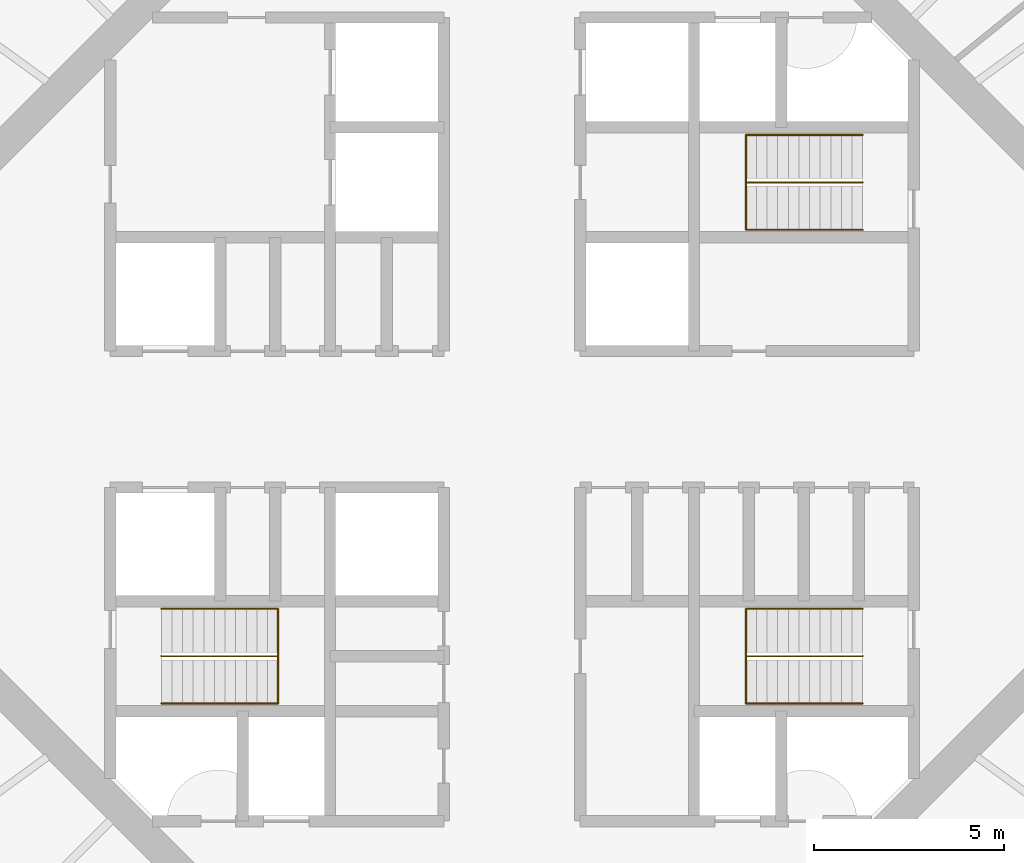
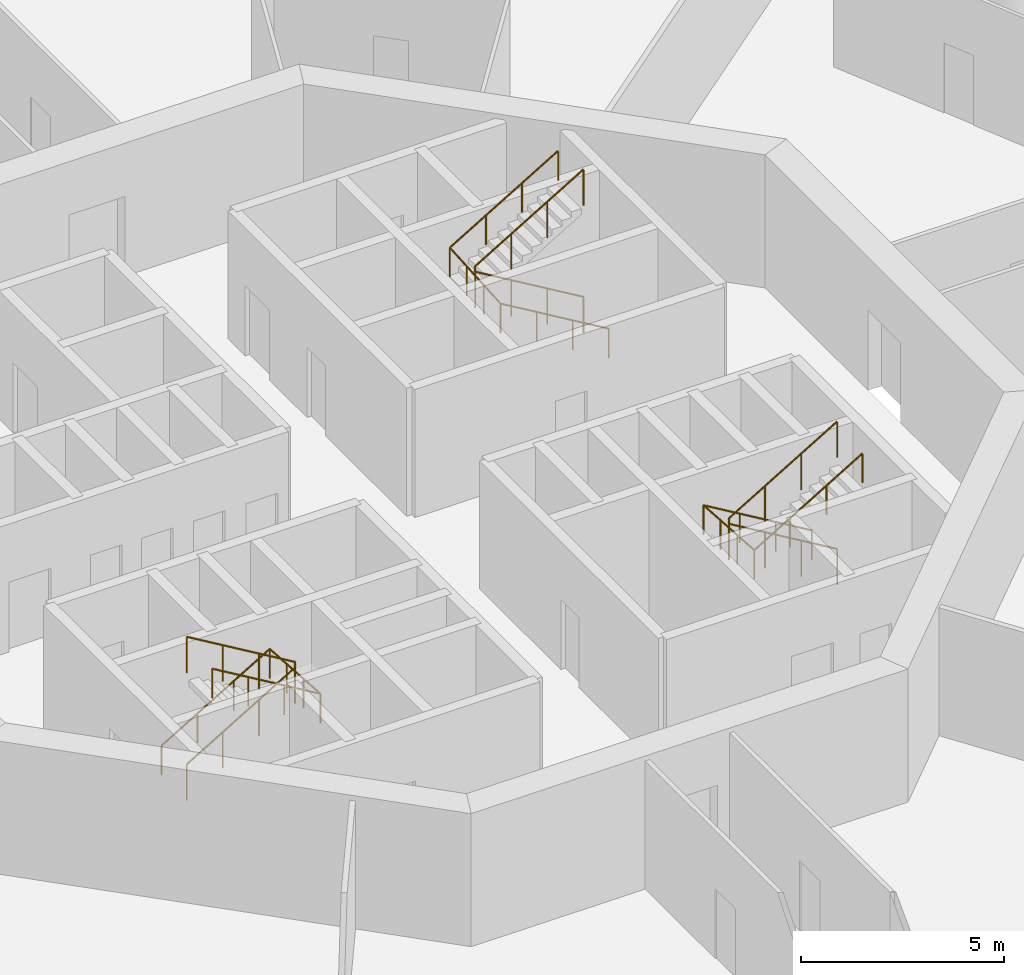
# One storey, part 13 of 13: 6 railings.
"""IFC4 building model written with IfcOpenShell, lengths in metres."""

from ifc_helpers import new_model, si_unit, direction, frame, origin, origin_2d, place, context, subcontext, project, spatial, circle, extrude, material, type_object, element, save


model = new_model("IFC4")

# Units and contexts
model_context = context("Model", 3, precision=1e-05, world=origin(), true_north=direction((0.0, 1.0)))
body_context = subcontext(model_context, "Body", "Model", "MODEL_VIEW")
ifc_project = project(units=[si_unit("LENGTHUNIT", "METRE"), si_unit("AREAUNIT", "SQUARE_METRE"), si_unit("VOLUMEUNIT", "CUBIC_METRE"), si_unit("PLANEANGLEUNIT", "RADIAN"), si_unit("MASSUNIT", "GRAM", prefix="KILO")], contexts=[model_context])

# Site, building, storey
site_placement = place(None, origin())
site = spatial("IfcSite", under=ifc_project, at=site_placement, CompositionType="ELEMENT")
building_placement = place(site_placement, origin())
building = spatial("IfcBuilding", under=site, at=building_placement, Name="Entoto Ring Tower", CompositionType="ELEMENT")
storey_placement = place(building_placement, frame((0.0, 0.0, 310.0)))
storey = spatial("IfcBuildingStorey", under=building, at=storey_placement, Name="L71", CompositionType="ELEMENT", Elevation=310.0)

# Railings
ifc_material_1 = material(Name="Steel S275", Category="steel")
railing_type_1 = type_object("IfcRailingType", Name="Stair guard 1100 mm steel", PredefinedType="GUARDRAIL", material=ifc_material_1)
railing_1_placement = place(storey_placement, frame((99.25, 86.25, 0.166748046875)))
element("IfcRailing", 1, at=railing_1_placement, inside=storey, type_object=railing_type_1, Name="Guard ST1", PredefinedType="GUARDRAIL", context=body_context, shape_type="SweptSolid", body=[
    extrude(circle(Radius=0.02392578125, at=origin_2d()), frame((0.0, 0.0, 1.076171875), z_axis=(-0.859308565015, 0.0, 0.511457515432), x_axis=(0.0, -1.0, 0.0)), (0.0, 0.0, 1.0), 3.58447265625),
    extrude(circle(Radius=0.02392578125, at=origin_2d()), frame((-3.080078125, 0.0, 2.9091796875), z_axis=(0.0, 0.0, 1.0), x_axis=(1.0, 0.0, 0.0)), (0.0, 0.0, 1.0), 0.166748046875),
    extrude(circle(Radius=0.02392578125, at=origin_2d()), frame((-3.080078125, 0.0, 3.076171875), z_axis=(0.859308565015, 0.0, 0.511457515432), x_axis=(0.0, 1.0, 0.0)), (0.0, 0.0, 1.0), 3.58447265625),
    extrude(circle(Radius=0.02099609375, at=origin_2d()), origin(), (0.0, 0.0, 1.0), 1.052001953125),
    extrude(circle(Radius=0.02099609375, at=origin_2d()), frame((-1.026611328125, 0.0, 0.611083984375)), (0.0, 0.0, 1.0), 1.052001953125),
    extrude(circle(Radius=0.02099609375, at=origin_2d()), frame((-2.053466796875, 0.0, 1.22216796875)), (0.0, 0.0, 1.0), 1.052001953125),
    extrude(circle(Radius=0.02099609375, at=origin_2d()), frame((-3.080078125, 0.0, 1.833251953125)), (0.0, 0.0, 1.0), 1.052001953125),
    extrude(circle(Radius=0.02099609375, at=origin_2d()), frame((-3.080078125, 0.0, 2.0)), (0.0, 0.0, 1.0), 1.052001953125),
    extrude(circle(Radius=0.02099609375, at=origin_2d()), frame((-2.053466796875, 0.0, 2.611083984375)), (0.0, 0.0, 1.0), 1.052001953125),
    extrude(circle(Radius=0.02099609375, at=origin_2d()), frame((-1.026611328125, 0.0, 3.22216796875)), (0.0, 0.0, 1.0), 1.052001953125),
    extrude(circle(Radius=0.02099609375, at=origin_2d()), frame((0.0, 0.0, 3.833251953125)), (0.0, 0.0, 1.0), 1.052001953125),
])
railing_2_placement = place(storey_placement, frame((80.75, 73.75, 0.166748046875)))
element("IfcRailing", 2, at=railing_2_placement, inside=storey, type_object=railing_type_1, Name="Guard ST2", PredefinedType="GUARDRAIL", context=body_context, shape_type="SweptSolid", body=[
    extrude(circle(Radius=0.02392578125, at=origin_2d()), frame((0.0, 0.0, 1.076171875), z_axis=(0.859308565015, 0.0, 0.511457515432), x_axis=(0.0, 1.0, 0.0)), (0.0, 0.0, 1.0), 3.58447265625),
    extrude(circle(Radius=0.02392578125, at=origin_2d()), frame((3.080078125, 0.0, 2.9091796875), z_axis=(0.0, 0.0, 1.0), x_axis=(1.0, 0.0, 0.0)), (0.0, 0.0, 1.0), 0.166748046875),
    extrude(circle(Radius=0.02392578125, at=origin_2d()), frame((3.080078125, 0.0, 3.076171875), z_axis=(-0.859308565015, 0.0, 0.511457515432), x_axis=(0.0, -1.0, 0.0)), (0.0, 0.0, 1.0), 3.58447265625),
    extrude(circle(Radius=0.02099609375, at=origin_2d()), origin(), (0.0, 0.0, 1.0), 1.052001953125),
    extrude(circle(Radius=0.02099609375, at=origin_2d()), frame((1.026611328125, 0.0, 0.611083984375)), (0.0, 0.0, 1.0), 1.052001953125),
    extrude(circle(Radius=0.02099609375, at=origin_2d()), frame((2.053466796875, 0.0, 1.22216796875)), (0.0, 0.0, 1.0), 1.052001953125),
    extrude(circle(Radius=0.02099609375, at=origin_2d()), frame((3.080078125, 0.0, 1.833251953125)), (0.0, 0.0, 1.0), 1.052001953125),
    extrude(circle(Radius=0.02099609375, at=origin_2d()), frame((3.080078125, 0.0, 2.0)), (0.0, 0.0, 1.0), 1.052001953125),
    extrude(circle(Radius=0.02099609375, at=origin_2d()), frame((2.053466796875, 0.0, 2.611083984375)), (0.0, 0.0, 1.0), 1.052001953125),
    extrude(circle(Radius=0.02099609375, at=origin_2d()), frame((1.026611328125, 0.0, 3.22216796875)), (0.0, 0.0, 1.0), 1.052001953125),
    extrude(circle(Radius=0.02099609375, at=origin_2d()), frame((0.0, 0.0, 3.833251953125)), (0.0, 0.0, 1.0), 1.052001953125),
])
railing_3_placement = place(storey_placement, frame((99.25, 73.75, 0.166748046875)))
element("IfcRailing", 3, at=railing_3_placement, inside=storey, type_object=railing_type_1, Name="Guard ST3", PredefinedType="GUARDRAIL", context=body_context, shape_type="SweptSolid", body=[
    extrude(circle(Radius=0.02392578125, at=origin_2d()), frame((0.0, 0.0, 1.076171875), z_axis=(-0.859308565015, 0.0, 0.511457515432), x_axis=(0.0, -1.0, 0.0)), (0.0, 0.0, 1.0), 3.58447265625),
    extrude(circle(Radius=0.02392578125, at=origin_2d()), frame((-3.080078125, 0.0, 2.9091796875), z_axis=(0.0, 0.0, 1.0), x_axis=(1.0, 0.0, 0.0)), (0.0, 0.0, 1.0), 0.166748046875),
    extrude(circle(Radius=0.02392578125, at=origin_2d()), frame((-3.080078125, 0.0, 3.076171875), z_axis=(0.859308565015, 0.0, 0.511457515432), x_axis=(0.0, 1.0, 0.0)), (0.0, 0.0, 1.0), 3.58447265625),
    extrude(circle(Radius=0.02099609375, at=origin_2d()), origin(), (0.0, 0.0, 1.0), 1.052001953125),
    extrude(circle(Radius=0.02099609375, at=origin_2d()), frame((-1.026611328125, 0.0, 0.611083984375)), (0.0, 0.0, 1.0), 1.052001953125),
    extrude(circle(Radius=0.02099609375, at=origin_2d()), frame((-2.053466796875, 0.0, 1.22216796875)), (0.0, 0.0, 1.0), 1.052001953125),
    extrude(circle(Radius=0.02099609375, at=origin_2d()), frame((-3.080078125, 0.0, 1.833251953125)), (0.0, 0.0, 1.0), 1.052001953125),
    extrude(circle(Radius=0.02099609375, at=origin_2d()), frame((-3.080078125, 0.0, 2.0)), (0.0, 0.0, 1.0), 1.052001953125),
    extrude(circle(Radius=0.02099609375, at=origin_2d()), frame((-2.053466796875, 0.0, 2.611083984375)), (0.0, 0.0, 1.0), 1.052001953125),
    extrude(circle(Radius=0.02099609375, at=origin_2d()), frame((-1.026611328125, 0.0, 3.22216796875)), (0.0, 0.0, 1.0), 1.052001953125),
    extrude(circle(Radius=0.02099609375, at=origin_2d()), frame((0.0, 0.0, 3.833251953125)), (0.0, 0.0, 1.0), 1.052001953125),
])
ifc_material_2 = material(Name="Steel S275", Category="steel")
railing_type_2 = type_object("IfcRailingType", Name="Stair handrail 900 mm steel", PredefinedType="HANDRAIL", material=ifc_material_2)
railing_4_placement = place(storey_placement, frame((99.25, 85.0, 0.166748046875)))
element("IfcRailing", 4, at=railing_4_placement, inside=storey, type_object=railing_type_2, Name="Handrail ST1", PredefinedType="HANDRAIL", context=body_context, shape_type="SweptSolid", body=[
    extrude(circle(Radius=0.02392578125, at=origin_2d()), frame((0.0, 0.0, 0.8759765625), z_axis=(-0.859308565015, 0.0, 0.511457515432), x_axis=(0.0, -1.0, 0.0)), (0.0, 0.0, 1.0), 3.58447265625),
    extrude(circle(Radius=0.02392578125, at=origin_2d()), frame((-3.080078125, 0.0, 2.708984375), z_axis=(0.0, 0.997783001586, 0.066551346688), x_axis=(-1.0, 0.0, 0.0)), (0.0, 0.0, 1.0), 2.505615234375),
    extrude(circle(Radius=0.02392578125, at=origin_2d()), frame((-3.080078125, 2.5, 2.8759765625), z_axis=(0.859308565015, 0.0, 0.511457515432), x_axis=(0.0, 1.0, 0.0)), (0.0, 0.0, 1.0), 3.58447265625),
    extrude(circle(Radius=0.02099609375, at=origin_2d()), origin(), (0.0, 0.0, 1.0), 0.851806640625),
    extrude(circle(Radius=0.02099609375, at=origin_2d()), frame((-1.026611328125, 0.0, 0.611083984375)), (0.0, 0.0, 1.0), 0.851806640625),
    extrude(circle(Radius=0.02099609375, at=origin_2d()), frame((-2.053466796875, 0.0, 1.22216796875)), (0.0, 0.0, 1.0), 0.851806640625),
    extrude(circle(Radius=0.02099609375, at=origin_2d()), frame((-3.080078125, 0.0, 1.833251953125)), (0.0, 0.0, 1.0), 0.851806640625),
    extrude(circle(Radius=0.02099609375, at=origin_2d()), frame((-3.080078125, 0.833251953125, 1.888916015625)), (0.0, 0.0, 1.0), 0.851806640625),
    extrude(circle(Radius=0.02099609375, at=origin_2d()), frame((-3.080078125, 1.666748046875, 1.9443359375)), (0.0, 0.0, 1.0), 0.851806640625),
    extrude(circle(Radius=0.02099609375, at=origin_2d()), frame((-3.080078125, 2.5, 2.0)), (0.0, 0.0, 1.0), 0.851806640625),
    extrude(circle(Radius=0.02099609375, at=origin_2d()), frame((-2.053466796875, 2.5, 2.611083984375)), (0.0, 0.0, 1.0), 0.851806640625),
    extrude(circle(Radius=0.02099609375, at=origin_2d()), frame((-1.026611328125, 2.5, 3.22216796875)), (0.0, 0.0, 1.0), 0.851806640625),
    extrude(circle(Radius=0.02099609375, at=origin_2d()), frame((0.0, 2.5, 3.833251953125)), (0.0, 0.0, 1.0), 0.851806640625),
])
railing_5_placement = place(storey_placement, frame((80.75, 75.0, 0.166748046875)))
element("IfcRailing", 5, at=railing_5_placement, inside=storey, type_object=railing_type_2, Name="Handrail ST2", PredefinedType="HANDRAIL", context=body_context, shape_type="SweptSolid", body=[
    extrude(circle(Radius=0.02392578125, at=origin_2d()), frame((0.0, 0.0, 0.8759765625), z_axis=(0.859308565015, 0.0, 0.511457515432), x_axis=(0.0, 1.0, 0.0)), (0.0, 0.0, 1.0), 3.58447265625),
    extrude(circle(Radius=0.02392578125, at=origin_2d()), frame((3.080078125, 0.0, 2.708984375), z_axis=(0.0, -0.997783001586, 0.066551346688), x_axis=(1.0, 0.0, 0.0)), (0.0, 0.0, 1.0), 2.505615234375),
    extrude(circle(Radius=0.02392578125, at=origin_2d()), frame((3.080078125, -2.5, 2.8759765625), z_axis=(-0.859308565015, 0.0, 0.511457515432), x_axis=(0.0, -1.0, 0.0)), (0.0, 0.0, 1.0), 3.58447265625),
    extrude(circle(Radius=0.02099609375, at=origin_2d()), origin(), (0.0, 0.0, 1.0), 0.851806640625),
    extrude(circle(Radius=0.02099609375, at=origin_2d()), frame((1.026611328125, 0.0, 0.611083984375)), (0.0, 0.0, 1.0), 0.851806640625),
    extrude(circle(Radius=0.02099609375, at=origin_2d()), frame((2.053466796875, 0.0, 1.22216796875)), (0.0, 0.0, 1.0), 0.851806640625),
    extrude(circle(Radius=0.02099609375, at=origin_2d()), frame((3.080078125, 0.0, 1.833251953125)), (0.0, 0.0, 1.0), 0.851806640625),
    extrude(circle(Radius=0.02099609375, at=origin_2d()), frame((3.080078125, -0.833251953125, 1.888916015625)), (0.0, 0.0, 1.0), 0.851806640625),
    extrude(circle(Radius=0.02099609375, at=origin_2d()), frame((3.080078125, -1.666748046875, 1.9443359375)), (0.0, 0.0, 1.0), 0.851806640625),
    extrude(circle(Radius=0.02099609375, at=origin_2d()), frame((3.080078125, -2.5, 2.0)), (0.0, 0.0, 1.0), 0.851806640625),
    extrude(circle(Radius=0.02099609375, at=origin_2d()), frame((2.053466796875, -2.5, 2.611083984375)), (0.0, 0.0, 1.0), 0.851806640625),
    extrude(circle(Radius=0.02099609375, at=origin_2d()), frame((1.026611328125, -2.5, 3.22216796875)), (0.0, 0.0, 1.0), 0.851806640625),
    extrude(circle(Radius=0.02099609375, at=origin_2d()), frame((0.0, -2.5, 3.833251953125)), (0.0, 0.0, 1.0), 0.851806640625),
])
railing_6_placement = place(storey_placement, frame((99.25, 75.0, 0.166748046875)))
element("IfcRailing", 6, at=railing_6_placement, inside=storey, type_object=railing_type_2, Name="Handrail ST3", PredefinedType="HANDRAIL", context=body_context, shape_type="SweptSolid", body=[
    extrude(circle(Radius=0.02392578125, at=origin_2d()), frame((0.0, 0.0, 0.8759765625), z_axis=(-0.859308565015, 0.0, 0.511457515432), x_axis=(0.0, -1.0, 0.0)), (0.0, 0.0, 1.0), 3.58447265625),
    extrude(circle(Radius=0.02392578125, at=origin_2d()), frame((-3.080078125, 0.0, 2.708984375), z_axis=(0.0, -0.997783001586, 0.066551346688), x_axis=(1.0, 0.0, 0.0)), (0.0, 0.0, 1.0), 2.505615234375),
    extrude(circle(Radius=0.02392578125, at=origin_2d()), frame((-3.080078125, -2.5, 2.8759765625), z_axis=(0.859308565015, 0.0, 0.511457515432), x_axis=(0.0, 1.0, 0.0)), (0.0, 0.0, 1.0), 3.58447265625),
    extrude(circle(Radius=0.02099609375, at=origin_2d()), origin(), (0.0, 0.0, 1.0), 0.851806640625),
    extrude(circle(Radius=0.02099609375, at=origin_2d()), frame((-1.026611328125, 0.0, 0.611083984375)), (0.0, 0.0, 1.0), 0.851806640625),
    extrude(circle(Radius=0.02099609375, at=origin_2d()), frame((-2.053466796875, 0.0, 1.22216796875)), (0.0, 0.0, 1.0), 0.851806640625),
    extrude(circle(Radius=0.02099609375, at=origin_2d()), frame((-3.080078125, 0.0, 1.833251953125)), (0.0, 0.0, 1.0), 0.851806640625),
    extrude(circle(Radius=0.02099609375, at=origin_2d()), frame((-3.080078125, -0.833251953125, 1.888916015625)), (0.0, 0.0, 1.0), 0.851806640625),
    extrude(circle(Radius=0.02099609375, at=origin_2d()), frame((-3.080078125, -1.666748046875, 1.9443359375)), (0.0, 0.0, 1.0), 0.851806640625),
    extrude(circle(Radius=0.02099609375, at=origin_2d()), frame((-3.080078125, -2.5, 2.0)), (0.0, 0.0, 1.0), 0.851806640625),
    extrude(circle(Radius=0.02099609375, at=origin_2d()), frame((-2.053466796875, -2.5, 2.611083984375)), (0.0, 0.0, 1.0), 0.851806640625),
    extrude(circle(Radius=0.02099609375, at=origin_2d()), frame((-1.026611328125, -2.5, 3.22216796875)), (0.0, 0.0, 1.0), 0.851806640625),
    extrude(circle(Radius=0.02099609375, at=origin_2d()), frame((0.0, -2.5, 3.833251953125)), (0.0, 0.0, 1.0), 0.851806640625),
])

save(model, "model.ifc")
